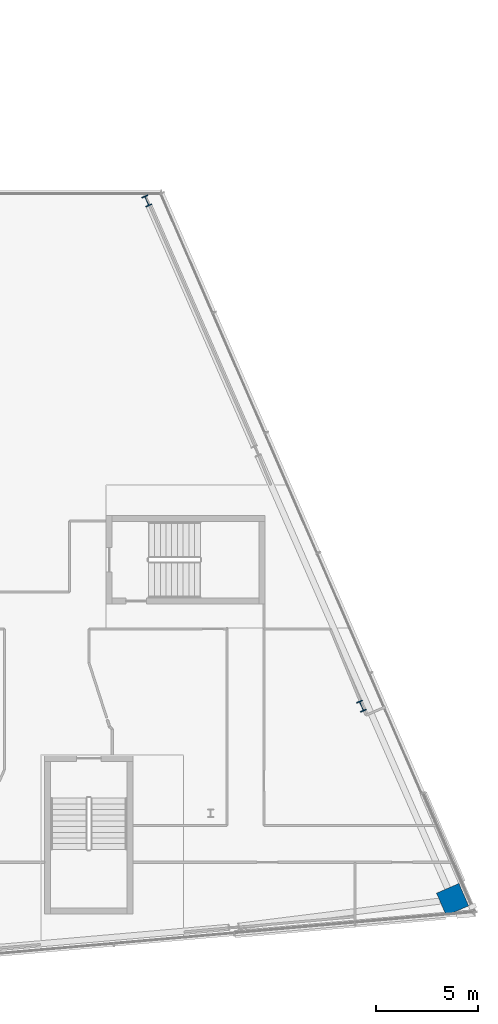
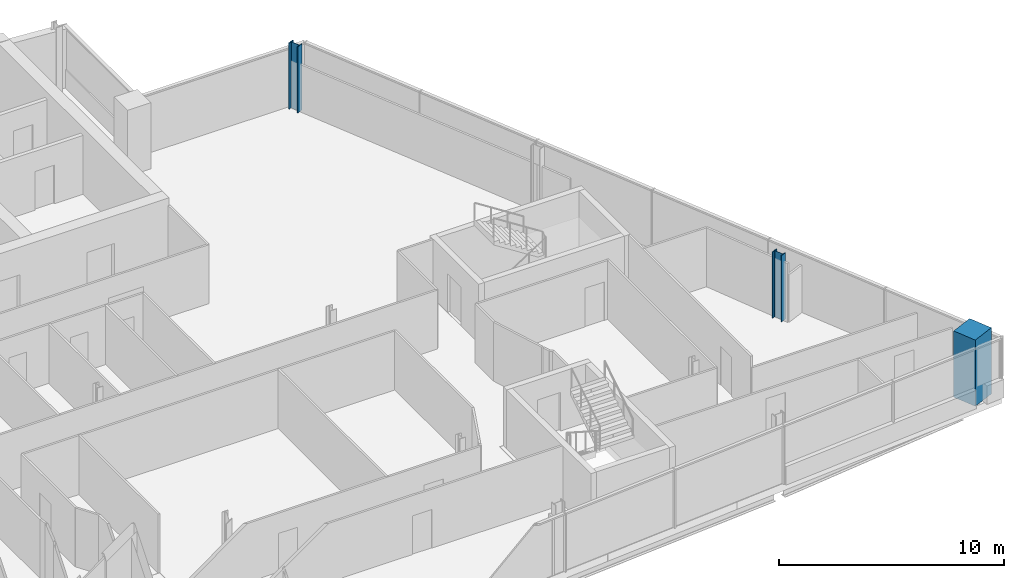
# One storey, part 4 of 22: 3 columns.
"""IFC4 building model written with IfcOpenShell, lengths in metres."""

import ifcopenshell
import ifcopenshell.guid

model = None  # the IFC model being written
_history = None  # IfcOwnerHistory: only IFC2X3 demands one
_inside = {}  # id of a spatial element -> (the spatial element, [elements in it])
_under = {}  # id of a project, library or spatial element -> (it, [spatial elements below it])
_declared = {}  # id of a project -> (the project, [libraries it declares])
_typed = {}  # id of a type object -> (the type object, [elements of that type])
_made_of = {}  # id of a material, layer set ... -> (it, [elements and type objects made of it])


def new_model(schema):
    """Start an empty IFC model of exactly this schema.

    Asked for "IFC4X3", IfcOpenShell would pick the latest addendum, in which some entities
    have other attributes; the version numbers below select the first issue.
    IFC2X3 requires an IfcOwnerHistory on every rooted entity: one is made here for all.
    """
    global model, _history
    if schema == "IFC4X3":
        model = ifcopenshell.file(schema_version=(4, 3, 0, 0))
    else:
        model = ifcopenshell.file(schema=schema)
    _inside.clear()
    _under.clear()
    _declared.clear()
    _typed.clear()
    _made_of.clear()
    _history = None
    if model.schema == "IFC2X3":
        org = make("IfcOrganization", Name="unknown")
        user = make(
            "IfcPersonAndOrganization",
            ThePerson=make("IfcPerson", FamilyName="unknown"),
            TheOrganization=org,
        )
        app = make(
            "IfcApplication",
            ApplicationDeveloper=org,
            Version="unknown",
            ApplicationFullName="unknown",
            ApplicationIdentifier="unknown",
        )
        _history = make(
            "IfcOwnerHistory",
            OwningUser=user,
            OwningApplication=app,
            ChangeAction="ADDED",
            CreationDate=0,
        )
    return model


def make(cls, **values):
    """One entity of the class cls with the attributes given. An attribute that is None is left unset."""
    return model.create_entity(
        cls, **{name: value for name, value in values.items() if value is not None}
    )


def rooted(cls, **values):
    """An entity with a GlobalId (a new one), such as an element, a storey or a relation."""
    return make(cls, GlobalId=ifcopenshell.guid.new(), OwnerHistory=_history, **values)


def si_unit(unit_type, name, prefix=None):
    """IfcSIUnit, for example si_unit("LENGTHUNIT", "METRE", prefix="MILLI")."""
    return make("IfcSIUnit", UnitType=unit_type, Prefix=prefix, Name=name)


def assignment(units):
    """IfcUnitAssignment: the units of a project."""
    return None if units is None else make("IfcUnitAssignment", Units=units)


def point(xyz):
    """IfcCartesianPoint."""
    return None if xyz is None else make("IfcCartesianPoint", Coordinates=xyz)


def direction(xyz):
    """IfcDirection."""
    return None if xyz is None else make("IfcDirection", DirectionRatios=xyz)


def frame(location, z_axis=None, x_axis=None):
    """IfcAxis2Placement3D, a coordinate frame: its origin and axes. An axis left out is left unset."""
    return make(
        "IfcAxis2Placement3D",
        Location=point(location),
        Axis=direction(z_axis),
        RefDirection=direction(x_axis),
    )


def frame_2d(location, x_axis=None):
    """IfcAxis2Placement2D, a coordinate frame in the plane: its origin and x axis."""
    return make(
        "IfcAxis2Placement2D", Location=point(location), RefDirection=direction(x_axis)
    )


def origin():
    """The frame at (0, 0, 0) with its axes left unset."""
    return frame((0.0, 0.0, 0.0))


def origin_2d():
    """The frame at (0, 0) in the plane with its x axis left unset."""
    return frame_2d((0.0, 0.0))


def place(relative_to, where):
    """IfcLocalPlacement: puts the frame where relative to a parent placement (None: the world)."""
    return make(
        "IfcLocalPlacement", PlacementRelTo=relative_to, RelativePlacement=where
    )


def context(
    kind, dimensions, precision=None, world=None, true_north=None, identifier=None
):
    """IfcGeometricRepresentationContext, for example the 3D "Model" context."""
    return make(
        "IfcGeometricRepresentationContext",
        ContextIdentifier=identifier,
        ContextType=kind,
        CoordinateSpaceDimension=dimensions,
        Precision=precision,
        WorldCoordinateSystem=world,
        TrueNorth=true_north,
    )


def subcontext(parent, identifier, kind, view, scale=None):
    """IfcGeometricRepresentationSubContext, for example "Body" below "Model"."""
    return make(
        "IfcGeometricRepresentationSubContext",
        ContextIdentifier=identifier,
        ContextType=kind,
        ParentContext=parent,
        TargetScale=scale,
        TargetView=view,
    )


def project(units=None, contexts=None):
    """IfcProject with its units and contexts."""
    return rooted(
        "IfcProject",
        Name="project",
        RepresentationContexts=contexts,
        UnitsInContext=assignment(units),
    )


def spatial(cls, under=None, at=None, **own):
    """A site, building, storey or space (cls), placed at a placement, below another one or the project."""
    s = rooted(cls, ObjectPlacement=at, **own)
    if under is not None:
        _under.setdefault(under.id(), (under, []))[1].append(s)
    return s


def profile(cls, at=None, kind="AREA", **sizes):
    """A parametric profile (cls). Its sizes go by their IFC names, for example OverallWidth=200.0."""
    return make(cls, ProfileType=kind, Position=at, **sizes)


def rectangle(**sizes):
    """IfcRectangleProfileDef."""
    return profile("IfcRectangleProfileDef", **sizes)


def i_section(**sizes):
    """IfcIShapeProfileDef."""
    return profile("IfcIShapeProfileDef", **sizes)


def extrude(swept, where, along, depth):
    """IfcExtrudedAreaSolid: the profile swept, set in the frame where, extruded along a direction by depth."""
    return make(
        "IfcExtrudedAreaSolid",
        SweptArea=swept,
        Position=where,
        ExtrudedDirection=direction(along),
        Depth=depth,
    )


def shape(context_of_items, identifier, shape_type, items):
    """IfcShapeRepresentation: the items that make up one representation, for example the "Body"."""
    return make(
        "IfcShapeRepresentation",
        ContextOfItems=context_of_items,
        RepresentationIdentifier=identifier,
        RepresentationType=shape_type,
        Items=items,
    )


def material(Name=None, Category=None):
    """IfcMaterial."""
    return make("IfcMaterial", Name=Name, Category=Category)


def material_profile(
    of_material, cross_section, Name=None, Category=None, Priority=None
):
    """IfcMaterialProfile: a cross section and its material."""
    return make(
        "IfcMaterialProfile",
        Name=Name,
        Material=of_material,
        Profile=cross_section,
        Priority=Priority,
        Category=Category,
    )


def profile_set(profiles, Name=None, composite=None):
    """IfcMaterialProfileSet."""
    return make(
        "IfcMaterialProfileSet",
        Name=Name,
        MaterialProfiles=profiles,
        CompositeProfile=composite,
    )


def made_of(thing, what):
    """Note that an element or type object is made of a material, layer set ...; save() writes the relation."""
    if what is not None:
        _made_of.setdefault(what.id(), (what, []))[1].append(thing)
    return thing


def type_object(cls, material=None, **own):
    """A type object (cls), such as IfcWallType, which elements share."""
    return made_of(rooted(cls, **own), material)


def element(
    cls,
    number,
    at=None,
    inside=None,
    cuts=None,
    type_object=None,
    material=None,
    context=None,
    identifier="Body",
    shape_type=None,
    held_by="IfcProductDefinitionShape",
    body=None,
    shapes=None,
    **own,
):
    """One element of the class cls, such as IfcWall. Its Tag is "e" and its number.

    at: its placement. inside: the storey or other place that contains it. cuts: it is an
    opening in that element (IfcRelVoidsElement). A single representation is given by context,
    identifier, shape_type and body (its items); several are given by shapes. held_by: the class
    of the entity that holds the representations. save() writes the other relations.
    """
    e = rooted(cls, Tag="e%d" % number, ObjectPlacement=at, **own)
    if body is not None:
        shapes = [shape(context, identifier, shape_type, body)]
    if shapes is not None:
        e.Representation = make(held_by, Representations=shapes)
    if inside is not None:
        _inside.setdefault(inside.id(), (inside, []))[1].append(e)
    if cuts is not None:
        rooted(
            "IfcRelVoidsElement", RelatingBuildingElement=cuts, RelatedOpeningElement=e
        )
    if type_object is not None:
        _typed.setdefault(type_object.id(), (type_object, []))[1].append(e)
    return made_of(e, material)


def aggregate(whole, parts):
    """IfcRelAggregates: a whole, such as a stair, and the parts it consists of."""
    return rooted("IfcRelAggregates", RelatingObject=whole, RelatedObjects=parts)


def save(model, path):
    """Write the relations noted so far, then the file.

    IfcRelAggregates (storeys below a building ...), IfcRelContainedInSpatialStructure (elements
    in a storey), IfcRelDefinesByType, IfcRelAssociatesMaterial and IfcRelDeclares: one each for
    every whole, place, type object, material and project.
    """
    for whole, parts in _under.values():
        aggregate(whole, parts)
    for where, things in _inside.values():
        rooted(
            "IfcRelContainedInSpatialStructure",
            RelatedElements=things,
            RelatingStructure=where,
        )
    for kind, things in _typed.values():
        rooted("IfcRelDefinesByType", RelatedObjects=things, RelatingType=kind)
    for what, things in _made_of.values():
        rooted("IfcRelAssociatesMaterial", RelatedObjects=things, RelatingMaterial=what)
    for by, libraries in _declared.values():
        rooted("IfcRelDeclares", RelatingContext=by, RelatedDefinitions=libraries)
    model.write(path)


model = new_model("IFC4")

# Units and contexts
model_context = context("Model", 3, precision=1e-05, world=origin(), true_north=direction((0.0, 1.0)))
body_context = subcontext(model_context, "Body", "Model", "MODEL_VIEW")
ifc_project = project(units=[si_unit("LENGTHUNIT", "METRE"), si_unit("AREAUNIT", "SQUARE_METRE"), si_unit("VOLUMEUNIT", "CUBIC_METRE"), si_unit("PLANEANGLEUNIT", "RADIAN"), si_unit("MASSUNIT", "GRAM", prefix="KILO")], contexts=[model_context])

# Site, building, storey
site_placement = place(None, origin())
site = spatial("IfcSite", under=ifc_project, at=site_placement, CompositionType="ELEMENT")
building_placement = place(site_placement, origin())
building = spatial("IfcBuilding", under=site, at=building_placement, Name="Wharfspan Tower", CompositionType="ELEMENT")
storey_placement = place(building_placement, frame((0.0, 0.0, 246.699951)))
storey = spatial("IfcBuildingStorey", under=building, at=storey_placement, Name="L62", CompositionType="ELEMENT", Elevation=246.699951)

# Columns
ifc_material_1 = material(Name="Steel S355J2", Category="steel")
ifc_material_profile_1 = material_profile(ifc_material_1, i_section(OverallWidth=0.305908, OverallDepth=0.523926, WebThickness=0.020996, FlangeThickness=0.040039, FilletRadius=0.0271, at=origin_2d()))
ifc_profile_set_1 = profile_set([ifc_material_profile_1], Name="Steel S355J2")
column_type_1 = type_object("IfcColumnType", Name="Column HEM 500", PredefinedType="COLUMN", material=ifc_profile_set_1)
for number, where, z_axis, x_axis, name in (
    (1, (79.409668, 16.761719, 0.0), (0.0, 0.0, 1.0), (0.917072, 0.398727, 0.0), "Perimeter column PE.1 L62"),
    (2, (68.867188, 41.572266, 0.0), (0.0, 0.0, 1.0), (0.917072, 0.398727, 0.0), "Perimeter column PE.3 L62"),
):
    element("IfcColumn", number, at=place(storey_placement, frame(where, z_axis=z_axis, x_axis=x_axis)), inside=storey, type_object=column_type_1, Name=name, PredefinedType="COLUMN", context=body_context, shape_type="SweptSolid", body=[
        extrude(i_section(OverallWidth=0.305908, OverallDepth=0.523926, WebThickness=0.020996, FlangeThickness=0.040039, FilletRadius=0.0271, at=origin_2d()), origin(), (0.0, 0.0, 1.0), 3.600098),
    ])
ifc_material_2 = material(Name="Concrete C50/60", Category="concrete")
ifc_material_profile_2 = material_profile(ifc_material_2, rectangle(XDim=1.199951, YDim=1.199951, at=origin_2d()))
ifc_profile_set_2 = profile_set([ifc_material_profile_2], Name="Concrete C50/60")
column_type_2 = type_object("IfcColumnType", Name="Mega column 1200 C50/60", PredefinedType="COLUMN", material=ifc_profile_set_2)
column_placement = place(storey_placement, frame((83.882812, 7.264648, 0.0), z_axis=(0.0, 0.0, 1.0), x_axis=(-0.398727, 0.917072, 0.0)))
element("IfcColumn", 3, at=column_placement, inside=storey, type_object=column_type_2, Name="Mega column MC4 L62", PredefinedType="COLUMN", context=body_context, shape_type="SweptSolid", body=[
    extrude(rectangle(XDim=1.199951, YDim=1.199951, at=origin_2d()), origin(), (0.0, 0.0, 1.0), 3.600098),
])

save(model, "model.ifc")
